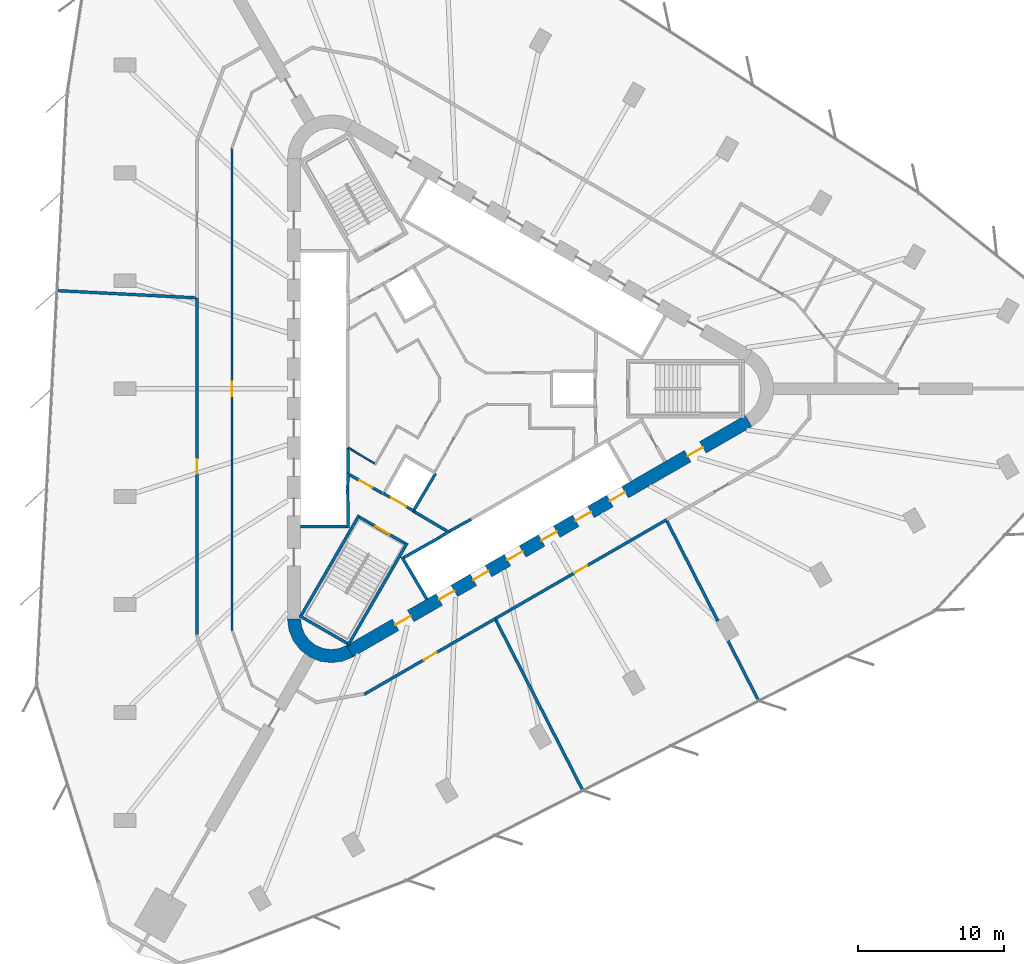
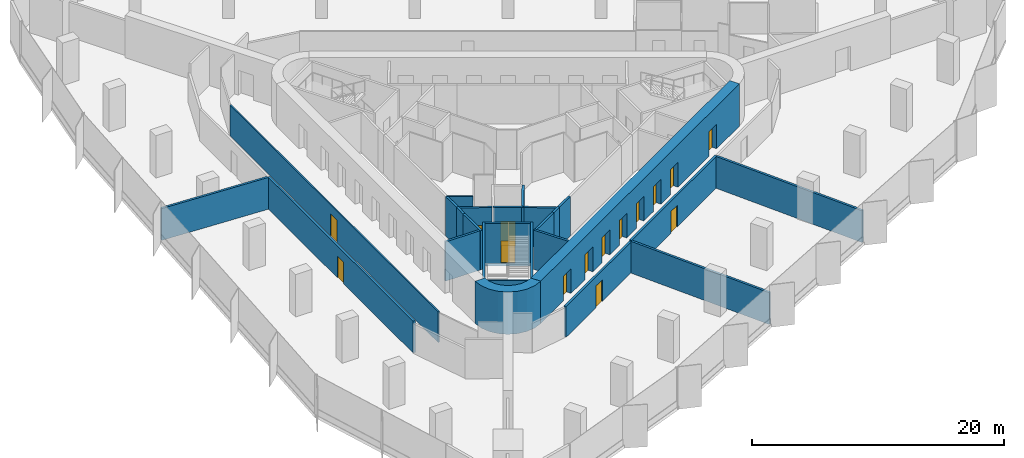
# One storey, part 9 of 14: 26 walls, 15 doors, 15 openings.
"""IFC4 building model written with IfcOpenShell, lengths in metres."""

from ifc_helpers import new_model, si_unit, direction, frame, frame_2d, origin, place, context, subcontext, project, spatial, polyline, rectangle, outline, extrude, material, layer, layer_set, type_object, element, fill, save


model = new_model("IFC4")

# Units and contexts
model_context = context("Model", 3, precision=1e-05, world=origin(), true_north=direction((0.0, 1.0)))
body_context = subcontext(model_context, "Body", "Model", "MODEL_VIEW")
ifc_project = project(units=[si_unit("LENGTHUNIT", "METRE"), si_unit("AREAUNIT", "SQUARE_METRE"), si_unit("VOLUMEUNIT", "CUBIC_METRE"), si_unit("PLANEANGLEUNIT", "RADIAN"), si_unit("MASSUNIT", "GRAM", prefix="KILO")], contexts=[model_context])

# Site, building, storey
site_placement = place(None, origin())
site = spatial("IfcSite", under=ifc_project, at=site_placement, CompositionType="ELEMENT")
building_placement = place(site_placement, origin())
building = spatial("IfcBuilding", under=site, at=building_placement, Name="Tanit Gate Tower", CompositionType="ELEMENT")
storey_placement = place(building_placement, frame((0.0, 0.0, 70.10009765625)))
storey = spatial("IfcBuildingStorey", under=building, at=storey_placement, Name="L13", CompositionType="ELEMENT", Elevation=70.10009765625)

# Wall, openings, doors
ifc_material_1 = material(Name="Concrete C60/75", Category="concrete")
ifc_layer_1 = layer(ifc_material_1, 0.89990234375)
ifc_layer_set_1 = layer_set([ifc_layer_1], Name="CORE WALL 900 C60/75")
wall_type_1 = type_object("IfcWallType", Name="CORE WALL 900 C60/75", PredefinedType="SHEAR", material=ifc_layer_set_1)
wall_1_placement = place(storey_placement, frame((-7.824951171875, -17.969970703125, 0.0), z_axis=(0.0, 0.0, 1.0), x_axis=(0.866028369851, 0.499994862586, 0.0)))
wall_1 = element("IfcWall", 1, at=wall_1_placement, inside=storey, type_object=wall_type_1, Name="CORE WALL", PredefinedType="SHEAR", context=body_context, shape_type="SweptSolid", body=[
    extrude(rectangle(XDim=31.523193359375, YDim=0.89990234375, at=frame_2d((15.76171875, 0.0))), origin(), (0.0, 0.0, 1.0), 4.099853515625),
])
opening_1_placement = place(wall_1_placement, frame((7.061767578125, 0.0, 0.0)))
opening_1 = element("IfcOpeningElement", 2, at=opening_1_placement, cuts=wall_1, Name="Opening LDSX1-S02", PredefinedType="OPENING", context=body_context, shape_type="SweptSolid", body=[
    extrude(rectangle(XDim=1.199951171875, YDim=2.39990234375, at=frame_2d((0.60009765625, 1.199951171875))), frame((0.0, 0.4599609375, 0.0), z_axis=(0.0, -1.0, 0.0), x_axis=(1.0, 0.0, 0.0)), (0.0, 0.0, 1.0), 0.919921875),
])
opening_2_placement = place(wall_1_placement, frame((9.76171875, 0.0, 0.0)))
opening_2 = element("IfcOpeningElement", 3, at=opening_2_placement, cuts=wall_1, Name="Opening LDSX2-S02", PredefinedType="OPENING", context=body_context, shape_type="SweptSolid", body=[
    extrude(rectangle(XDim=1.199951171875, YDim=2.39990234375, at=frame_2d((0.60009765625, 1.199951171875))), frame((0.0, 0.4599609375, 0.0), z_axis=(0.0, -1.0, 0.0), x_axis=(1.0, 0.0, 0.0)), (0.0, 0.0, 1.0), 0.919921875),
])
opening_3_placement = place(wall_1_placement, frame((12.461669921875, 0.0, 0.0)))
opening_3 = element("IfcOpeningElement", 4, at=opening_3_placement, cuts=wall_1, Name="Opening LDSX3-S02", PredefinedType="OPENING", context=body_context, shape_type="SweptSolid", body=[
    extrude(rectangle(XDim=1.199951171875, YDim=2.39990234375, at=frame_2d((0.60009765625, 1.199951171875))), frame((0.0, 0.4599609375, 0.0), z_axis=(0.0, -1.0, 0.0), x_axis=(1.0, 0.0, 0.0)), (0.0, 0.0, 1.0), 0.919921875),
])
opening_4_placement = place(wall_1_placement, frame((15.16162109375, 0.0, 0.0)))
opening_4 = element("IfcOpeningElement", 5, at=opening_4_placement, cuts=wall_1, Name="Opening LDSX4-S02", PredefinedType="OPENING", context=body_context, shape_type="SweptSolid", body=[
    extrude(rectangle(XDim=1.199951171875, YDim=2.39990234375, at=frame_2d((0.60009765625, 1.199951171875))), frame((0.0, 0.4599609375, 0.0), z_axis=(0.0, -1.0, 0.0), x_axis=(1.0, 0.0, 0.0)), (0.0, 0.0, 1.0), 0.919921875),
])
opening_5_placement = place(wall_1_placement, frame((17.861572265625, 0.0, 0.0)))
opening_5 = element("IfcOpeningElement", 6, at=opening_5_placement, cuts=wall_1, Name="Opening LDSV1-S02", PredefinedType="OPENING", context=body_context, shape_type="SweptSolid", body=[
    extrude(rectangle(XDim=1.199951171875, YDim=2.39990234375, at=frame_2d((0.60009765625, 1.199951171875))), frame((0.0, 0.4599609375, 0.0), z_axis=(0.0, -1.0, 0.0), x_axis=(1.0, 0.0, 0.0)), (0.0, 0.0, 1.0), 0.919921875),
])
opening_6_placement = place(wall_1_placement, frame((20.561767578125, 0.0, 0.0)))
opening_6 = element("IfcOpeningElement", 7, at=opening_6_placement, cuts=wall_1, Name="Opening LDSV2-S02", PredefinedType="OPENING", context=body_context, shape_type="SweptSolid", body=[
    extrude(rectangle(XDim=1.199951171875, YDim=2.39990234375, at=frame_2d((0.60009765625, 1.199951171875))), frame((0.0, 0.4599609375, 0.0), z_axis=(0.0, -1.0, 0.0), x_axis=(1.0, 0.0, 0.0)), (0.0, 0.0, 1.0), 0.919921875),
])
opening_7_placement = place(wall_1_placement, frame((26.711669921875, 0.0, 0.0)))
opening_7 = element("IfcOpeningElement", 8, at=opening_7_placement, cuts=wall_1, Name="Opening F12-S02-S1", PredefinedType="OPENING", context=body_context, shape_type="SweptSolid", body=[
    extrude(rectangle(XDim=1.199951171875, YDim=2.39990234375, at=frame_2d((0.60009765625, 1.199951171875))), frame((0.0, 0.4599609375, 0.0), z_axis=(0.0, -1.0, 0.0), x_axis=(1.0, 0.0, 0.0)), (0.0, 0.0, 1.0), 0.919921875),
])
opening_8_placement = place(wall_1_placement, frame((3.611572265625, 0.0, 0.0)))
opening_8 = element("IfcOpeningElement", 9, at=opening_8_placement, cuts=wall_1, Name="Opening F12-S02-FL3", PredefinedType="OPENING", context=body_context, shape_type="SweptSolid", body=[
    extrude(rectangle(XDim=1.199951171875, YDim=2.39990234375, at=frame_2d((0.60009765625, 1.199951171875))), frame((0.0, 0.4599609375, 0.0), z_axis=(0.0, -1.0, 0.0), x_axis=(1.0, 0.0, 0.0)), (0.0, 0.0, 1.0), 0.919921875),
])
ifc_material_2 = material(Name="Fire-rated steel door leaf", Category="steel")
door_type_1 = type_object("IfcDoorType", Name="INT-DOOR-FIRE-LOBBY-1200", OperationType="NOTDEFINED", PredefinedType="USERDEFINED", material=ifc_material_2)
door_1_placement = place(opening_7_placement, origin())
door_1 = element("IfcDoor", 10, at=door_1_placement, inside=storey, type_object=door_type_1, Name="Door F12-S02-S1", ObjectType="FIRE DOOR", OperationType="SINGLE_SWING_RIGHT", OverallHeight=2.39990234375, OverallWidth=1.199951171875, PredefinedType="USERDEFINED", context=body_context, shape_type="SweptSolid", body=[
    extrude(rectangle(XDim=1.199951171875, YDim=2.39990234375, at=frame_2d((0.60009765625, 1.199951171875))), frame((0.0, 0.02490234375, 0.0), z_axis=(0.0, -1.0, 0.0), x_axis=(1.0, 0.0, 0.0)), (0.0, 0.0, 1.0), 0.050048828125),
])
fill(opening_7, door_1)
door_2_placement = place(opening_8_placement, origin())
door_2 = element("IfcDoor", 11, at=door_2_placement, inside=storey, type_object=door_type_1, Name="Door F12-S02-FL3", ObjectType="FIRE DOOR", OperationType="SINGLE_SWING_LEFT", OverallHeight=2.39990234375, OverallWidth=1.199951171875, PredefinedType="USERDEFINED", context=body_context, shape_type="SweptSolid", body=[
    extrude(rectangle(XDim=1.199951171875, YDim=2.39990234375, at=frame_2d((0.60009765625, 1.199951171875))), frame((0.0, 0.02490234375, 0.0), z_axis=(0.0, -1.0, 0.0), x_axis=(1.0, 0.0, 0.0)), (0.0, 0.0, 1.0), 0.050048828125),
])
fill(opening_8, door_2)
ifc_material_3 = material(Name="Stainless steel sliding door leaf", Category="steel")
door_type_2 = type_object("IfcDoorType", Name="INT-DOOR-LANDING-1200", OperationType="NOTDEFINED", PredefinedType="USERDEFINED", material=ifc_material_3)
door_3_placement = place(opening_1_placement, origin())
door_3 = element("IfcDoor", 12, at=door_3_placement, inside=storey, type_object=door_type_2, Name="Door LDSX1-S02", ObjectType="LANDING DOOR", OperationType="SLIDING_TO_LEFT", OverallHeight=2.39990234375, OverallWidth=1.199951171875, PredefinedType="USERDEFINED", context=body_context, shape_type="SweptSolid", body=[
    extrude(rectangle(XDim=1.199951171875, YDim=2.39990234375, at=frame_2d((0.60009765625, 1.199951171875))), frame((0.0, 0.02490234375, 0.0), z_axis=(0.0, -1.0, 0.0), x_axis=(1.0, 0.0, 0.0)), (0.0, 0.0, 1.0), 0.050048828125),
])
fill(opening_1, door_3)
door_4_placement = place(opening_2_placement, origin())
door_4 = element("IfcDoor", 13, at=door_4_placement, inside=storey, type_object=door_type_2, Name="Door LDSX2-S02", ObjectType="LANDING DOOR", OperationType="SLIDING_TO_LEFT", OverallHeight=2.39990234375, OverallWidth=1.199951171875, PredefinedType="USERDEFINED", context=body_context, shape_type="SweptSolid", body=[
    extrude(rectangle(XDim=1.199951171875, YDim=2.39990234375, at=frame_2d((0.60009765625, 1.199951171875))), frame((0.0, 0.02490234375, 0.0), z_axis=(0.0, -1.0, 0.0), x_axis=(1.0, 0.0, 0.0)), (0.0, 0.0, 1.0), 0.050048828125),
])
fill(opening_2, door_4)
door_5_placement = place(opening_3_placement, origin())
door_5 = element("IfcDoor", 14, at=door_5_placement, inside=storey, type_object=door_type_2, Name="Door LDSX3-S02", ObjectType="LANDING DOOR", OperationType="SLIDING_TO_LEFT", OverallHeight=2.39990234375, OverallWidth=1.199951171875, PredefinedType="USERDEFINED", context=body_context, shape_type="SweptSolid", body=[
    extrude(rectangle(XDim=1.199951171875, YDim=2.39990234375, at=frame_2d((0.60009765625, 1.199951171875))), frame((0.0, 0.02490234375, 0.0), z_axis=(0.0, -1.0, 0.0), x_axis=(1.0, 0.0, 0.0)), (0.0, 0.0, 1.0), 0.050048828125),
])
fill(opening_3, door_5)
door_6_placement = place(opening_4_placement, origin())
door_6 = element("IfcDoor", 15, at=door_6_placement, inside=storey, type_object=door_type_2, Name="Door LDSX4-S02", ObjectType="LANDING DOOR", OperationType="SLIDING_TO_LEFT", OverallHeight=2.39990234375, OverallWidth=1.199951171875, PredefinedType="USERDEFINED", context=body_context, shape_type="SweptSolid", body=[
    extrude(rectangle(XDim=1.199951171875, YDim=2.39990234375, at=frame_2d((0.60009765625, 1.199951171875))), frame((0.0, 0.02490234375, 0.0), z_axis=(0.0, -1.0, 0.0), x_axis=(1.0, 0.0, 0.0)), (0.0, 0.0, 1.0), 0.050048828125),
])
fill(opening_4, door_6)
door_7_placement = place(opening_5_placement, origin())
door_7 = element("IfcDoor", 16, at=door_7_placement, inside=storey, type_object=door_type_2, Name="Door LDSV1-S02", ObjectType="LANDING DOOR", OperationType="SLIDING_TO_LEFT", OverallHeight=2.39990234375, OverallWidth=1.199951171875, PredefinedType="USERDEFINED", context=body_context, shape_type="SweptSolid", body=[
    extrude(rectangle(XDim=1.199951171875, YDim=2.39990234375, at=frame_2d((0.60009765625, 1.199951171875))), frame((0.0, 0.02490234375, 0.0), z_axis=(0.0, -1.0, 0.0), x_axis=(1.0, 0.0, 0.0)), (0.0, 0.0, 1.0), 0.050048828125),
])
fill(opening_5, door_7)
door_8_placement = place(opening_6_placement, origin())
door_8 = element("IfcDoor", 17, at=door_8_placement, inside=storey, type_object=door_type_2, Name="Door LDSV2-S02", ObjectType="LANDING DOOR", OperationType="SLIDING_TO_LEFT", OverallHeight=2.39990234375, OverallWidth=1.199951171875, PredefinedType="USERDEFINED", context=body_context, shape_type="SweptSolid", body=[
    extrude(rectangle(XDim=1.199951171875, YDim=2.39990234375, at=frame_2d((0.60009765625, 1.199951171875))), frame((0.0, 0.02490234375, 0.0), z_axis=(0.0, -1.0, 0.0), x_axis=(1.0, 0.0, 0.0)), (0.0, 0.0, 1.0), 0.050048828125),
])
fill(opening_6, door_8)

# Walls
wall_2_placement = place(storey_placement, origin())
element("IfcWall", 18, at=wall_2_placement, inside=storey, type_object=wall_type_1, Name="CORE WALL CORNER", PredefinedType="SHEAR", context=body_context, shape_type="SweptSolid", body=[
    extrude(outline(polyline([(-12.10009765625, -15.76171875), (-11.997802734375, -16.5380859375), (-11.697998046875, -17.26171875), (-11.22119140625, -17.883056640625), (-10.60009765625, -18.359619140625), (-9.87646484375, -18.659423828125), (-9.10009765625, -18.76171875), (-8.323486328125, -18.659423828125), (-7.60009765625, -18.359619140625), (-8.050048828125, -17.580322265625), (-8.556396484375, -17.7900390625), (-9.10009765625, -17.86181640625), (-9.6435546875, -17.7900390625), (-10.14990234375, -17.580322265625), (-10.5849609375, -17.24658203125), (-10.918701171875, -16.811767578125), (-11.12841796875, -16.30517578125), (-11.199951171875, -15.76171875), (-12.10009765625, -15.76171875)])), origin(), (0.0, 0.0, 1.0), 4.099853515625),
])
ifc_material_4 = material(Name="Fire-rated gypsum board partition")
ifc_layer_2 = layer(ifc_material_4, 0.199951171875)
ifc_layer_set_2 = layer_set([ifc_layer_2], Name="INT-WALL-COMPARTMENT")
wall_type_2 = type_object("IfcWallType", Name="INT-WALL-COMPARTMENT", PredefinedType="PARTITIONING", material=ifc_layer_set_2)
wall_3_placement = place(storey_placement, frame((-3.400634765625, -8.43017578125, 0.0), z_axis=(0.0, 0.0, 1.0), x_axis=(0.860615607571, -0.509255118781, 0.0)))
element("IfcWall", 19, at=wall_3_placement, inside=storey, type_object=wall_type_2, Name="Wall Compartment W063", PredefinedType="PARTITIONING", context=body_context, shape_type="SweptSolid", body=[
    extrude(rectangle(XDim=2.58056640625, YDim=0.199951171875, at=frame_2d((1.290283203125, 0.0))), origin(), (0.0, 0.0, 1.0), 3.7998046875),
])

# Wall, opening, door
wall_4_placement = place(storey_placement, frame((-7.849365234375, -5.893798828125, 0.0), z_axis=(0.0, 0.0, 1.0), x_axis=(0.871363259478, -0.490638431059, 0.0)))
wall_4 = element("IfcWall", 20, at=wall_4_placement, inside=storey, type_object=wall_type_2, Name="Wall Compartment W064", PredefinedType="PARTITIONING", context=body_context, shape_type="SweptSolid", body=[
    extrude(rectangle(XDim=2.5810546875, YDim=0.199951171875, at=frame_2d((1.29052734375, 0.0))), origin(), (0.0, 0.0, 1.0), 3.7998046875),
])
opening_9_placement = place(wall_4_placement, frame((0.79052734375, 0.0, 0.0)))
opening_9 = element("IfcOpeningElement", 21, at=opening_9_placement, cuts=wall_4, Name="Opening F10-S02-08", PredefinedType="OPENING", context=body_context, shape_type="SweptSolid", body=[
    extrude(rectangle(XDim=1.0, YDim=2.10009765625, at=frame_2d((0.5, 1.050048828125))), frame((0.0, 0.10986328125, 0.0), z_axis=(0.0, -1.0, 0.0), x_axis=(1.0, 0.0, 0.0)), (0.0, 0.0, 1.0), 0.219970703125),
])
ifc_material_5 = material(Name="Fire-rated steel door leaf", Category="steel")
door_type_3 = type_object("IfcDoorType", Name="INT-DOOR-FIRE-1000", OperationType="NOTDEFINED", PredefinedType="USERDEFINED", material=ifc_material_5)
door_9_placement = place(opening_9_placement, origin())
door_9 = element("IfcDoor", 22, at=door_9_placement, inside=storey, type_object=door_type_3, Name="Door F10-S02-08", ObjectType="FIRE DOOR", OperationType="SINGLE_SWING_LEFT", OverallHeight=2.10009765625, OverallWidth=1.0, PredefinedType="USERDEFINED", context=body_context, shape_type="SweptSolid", body=[
    extrude(rectangle(XDim=1.0, YDim=2.10009765625, at=frame_2d((0.5, 1.050048828125))), frame((0.0, 0.02490234375, 0.0), z_axis=(0.0, -1.0, 0.0), x_axis=(1.0, 0.0, 0.0)), (0.0, 0.0, 1.0), 0.050048828125),
])
fill(opening_9, door_9)

wall_5_placement = place(storey_placement, frame((-18.300048828125, 6.198974609375, 0.0), z_axis=(0.0, 0.0, 1.0), x_axis=(0.0, -1.0, 0.0)))
wall_5 = element("IfcWall", 23, at=wall_5_placement, inside=storey, type_object=wall_type_2, Name="Wall Compartment W090", PredefinedType="PARTITIONING", context=body_context, shape_type="SweptSolid", body=[
    extrude(rectangle(XDim=23.033203125, YDim=0.199951171875, at=frame_2d((11.5166015625, 0.0))), origin(), (0.0, 0.0, 1.0), 3.079833984375),
])
opening_10_placement = place(wall_5_placement, frame((11.0166015625, 0.0, 0.0)))
opening_10 = element("IfcOpeningElement", 24, at=opening_10_placement, cuts=wall_5, Name="Opening F10-S02-19", PredefinedType="OPENING", context=body_context, shape_type="SweptSolid", body=[
    extrude(rectangle(XDim=1.0, YDim=2.10009765625, at=frame_2d((0.5, 1.050048828125))), frame((0.0, 0.10986328125, 0.0), z_axis=(0.0, -1.0, 0.0), x_axis=(1.0, 0.0, 0.0)), (0.0, 0.0, 1.0), 0.219970703125),
])
door_10_placement = place(opening_10_placement, origin())
door_10 = element("IfcDoor", 25, at=door_10_placement, inside=storey, type_object=door_type_3, Name="Door F10-S02-19", ObjectType="FIRE DOOR", OperationType="SINGLE_SWING_LEFT", OverallHeight=2.10009765625, OverallWidth=1.0, PredefinedType="USERDEFINED", context=body_context, shape_type="SweptSolid", body=[
    extrude(rectangle(XDim=1.0, YDim=2.10009765625, at=frame_2d((0.5, 1.050048828125))), frame((0.0, 0.02490234375, 0.0), z_axis=(0.0, -1.0, 0.0), x_axis=(1.0, 0.0, 0.0)), (0.0, 0.0, 1.0), 0.050048828125),
])
fill(opening_10, door_10)

wall_6_placement = place(storey_placement, frame((-6.852294921875, -20.930419921875, 0.0), z_axis=(0.0, 0.0, 1.0), x_axis=(0.866021591072, 0.500006603753, 0.0)))
wall_6 = element("IfcWall", 26, at=wall_6_placement, inside=storey, type_object=wall_type_2, Name="Wall Compartment W106", PredefinedType="PARTITIONING", context=body_context, shape_type="SweptSolid", body=[
    extrude(rectangle(XDim=10.387451171875, YDim=0.199951171875, at=frame_2d((5.19384765625, 0.0))), origin(), (0.0, 0.0, 1.0), 2.97998046875),
])
opening_11_placement = place(wall_6_placement, frame((4.732421875, 0.0, 0.0)))
opening_11 = element("IfcOpeningElement", 27, at=opening_11_placement, cuts=wall_6, Name="Opening F10-S02-24", PredefinedType="OPENING", context=body_context, shape_type="SweptSolid", body=[
    extrude(rectangle(XDim=1.0, YDim=2.10009765625, at=frame_2d((0.5, 1.050048828125))), frame((0.0, 0.10986328125, 0.0), z_axis=(0.0, -1.0, 0.0), x_axis=(1.0, 0.0, 0.0)), (0.0, 0.0, 1.0), 0.219970703125),
])
door_11_placement = place(opening_11_placement, origin())
door_11 = element("IfcDoor", 28, at=door_11_placement, inside=storey, type_object=door_type_3, Name="Door F10-S02-24", ObjectType="FIRE DOOR", OperationType="SINGLE_SWING_LEFT", OverallHeight=2.10009765625, OverallWidth=1.0, PredefinedType="USERDEFINED", context=body_context, shape_type="SweptSolid", body=[
    extrude(rectangle(XDim=1.0, YDim=2.10009765625, at=frame_2d((0.5, 1.050048828125))), frame((0.0, 0.02490234375, 0.0), z_axis=(0.0, -1.0, 0.0), x_axis=(1.0, 0.0, 0.0)), (0.0, 0.0, 1.0), 0.050048828125),
])
fill(opening_11, door_11)

wall_7_placement = place(storey_placement, frame((2.1435546875, -15.736572265625, 0.0), z_axis=(0.0, 0.0, 1.0), x_axis=(0.866019431537, 0.500010344094, 0.0)))
wall_7 = element("IfcWall", 29, at=wall_7_placement, inside=storey, type_object=wall_type_2, Name="Wall Compartment W105", PredefinedType="PARTITIONING", context=body_context, shape_type="SweptSolid", body=[
    extrude(rectangle(XDim=13.531494140625, YDim=0.199951171875, at=frame_2d((6.765625, 0.0))), origin(), (0.0, 0.0, 1.0), 3.079833984375),
])
opening_12_placement = place(wall_7_placement, frame((6.25439453125, 0.0, 0.0)))
opening_12 = element("IfcOpeningElement", 30, at=opening_12_placement, cuts=wall_7, Name="Opening F10-S02-23", PredefinedType="OPENING", context=body_context, shape_type="SweptSolid", body=[
    extrude(rectangle(XDim=1.0, YDim=2.10009765625, at=frame_2d((0.5, 1.050048828125))), frame((0.0, 0.10986328125, 0.0), z_axis=(0.0, -1.0, 0.0), x_axis=(1.0, 0.0, 0.0)), (0.0, 0.0, 1.0), 0.219970703125),
])
door_12_placement = place(opening_12_placement, origin())
door_12 = element("IfcDoor", 31, at=door_12_placement, inside=storey, type_object=door_type_3, Name="Door F10-S02-23", ObjectType="FIRE DOOR", OperationType="SINGLE_SWING_RIGHT", OverallHeight=2.10009765625, OverallWidth=1.0, PredefinedType="USERDEFINED", context=body_context, shape_type="SweptSolid", body=[
    extrude(rectangle(XDim=1.0, YDim=2.10009765625, at=frame_2d((0.5, 1.050048828125))), frame((0.0, 0.02490234375, 0.0), z_axis=(0.0, -1.0, 0.0), x_axis=(1.0, 0.0, 0.0)), (0.0, 0.0, 1.0), 0.050048828125),
])
fill(opening_12, door_12)

# Walls
wall_8_placement = place(storey_placement, frame((-18.39990234375, 6.226806640625, 0.0), z_axis=(0.0, 0.0, 1.0), x_axis=(-0.998654739652, 0.051852781702, 0.0)))
element("IfcWall", 32, at=wall_8_placement, inside=storey, type_object=wall_type_2, Name="Wall Compartment W109", PredefinedType="PARTITIONING", context=body_context, shape_type="SweptSolid", body=[
    extrude(rectangle(XDim=9.491943359375, YDim=0.199951171875, at=frame_2d((4.74609375, 0.0))), origin(), (0.0, 0.0, 1.0), 3.079833984375),
])
wall_9_placement = place(storey_placement, frame((13.887939453125, -9.0712890625, 0.0), z_axis=(0.0, 0.0, 1.0), x_axis=(0.454417909926, -0.890788618663, 0.0)))
element("IfcWall", 33, at=wall_9_placement, inside=storey, type_object=wall_type_2, Name="Wall Compartment W123", PredefinedType="PARTITIONING", context=body_context, shape_type="SweptSolid", body=[
    extrude(rectangle(XDim=13.79833984375, YDim=0.199951171875, at=frame_2d((6.899169921875, 0.0))), origin(), (0.0, 0.0, 1.0), 3.079833984375),
])
wall_10_placement = place(storey_placement, frame((8.12060546875, -27.50341796875, 0.0), z_axis=(0.0, 0.0, 1.0), x_axis=(-0.454409665836, 0.890792824171, 0.0)))
element("IfcWall", 34, at=wall_10_placement, inside=storey, type_object=wall_type_2, Name="Wall Compartment W124", PredefinedType="PARTITIONING", context=body_context, shape_type="SweptSolid", body=[
    extrude(rectangle(XDim=13.096435546875, YDim=0.199951171875, at=frame_2d((6.54833984375, 0.0))), origin(), (0.0, 0.0, 1.0), 3.079833984375),
])
ifc_material_6 = material(Name="Gypsum board partition")
ifc_layer_3 = layer(ifc_material_6, 0.1201171875)
ifc_layer_set_3 = layer_set([ifc_layer_3], Name="INT-WALL-PARTITION")
wall_type_3 = type_object("IfcWallType", Name="INT-WALL-PARTITION", PredefinedType="PARTITIONING", material=ifc_layer_set_3)
wall_11_placement = place(storey_placement, frame((-7.949951171875, -4.041015625, 0.0), z_axis=(0.0, 0.0, 1.0), x_axis=(0.860112457103, -0.510104461004, 0.0)))
element("IfcWall", 35, at=wall_11_placement, inside=storey, type_object=wall_type_3, Name="Wall Partition W082", PredefinedType="PARTITIONING", context=body_context, shape_type="SweptSolid", body=[
    extrude(rectangle(XDim=2.1044921875, YDim=0.1201171875, at=frame_2d((1.05224609375, 0.0))), origin(), (0.0, 0.0, 1.0), 3.7998046875),
])

# Wall, opening, door
wall_12_placement = place(storey_placement, frame((-15.89990234375, 16.451171875, 0.0), z_axis=(0.0, 0.0, 1.0), x_axis=(0.0, -1.0, 0.0)))
wall_12 = element("IfcWall", 36, at=wall_12_placement, inside=storey, type_object=wall_type_3, Name="Wall Partition W085", PredefinedType="PARTITIONING", context=body_context, shape_type="SweptSolid", body=[
    extrude(rectangle(XDim=33.022216796875, YDim=0.1201171875, at=frame_2d((16.51123046875, 0.0))), origin(), (0.0, 0.0, 1.0), 2.97998046875),
])
opening_13_placement = place(wall_12_placement, frame((15.981201171875, 0.0, 0.0)))
opening_13 = element("IfcOpeningElement", 37, at=opening_13_placement, cuts=wall_12, Name="Opening D10-S02-14", PredefinedType="OPENING", context=body_context, shape_type="SweptSolid", body=[
    extrude(rectangle(XDim=1.0, YDim=2.10009765625, at=frame_2d((0.5, 1.050048828125))), frame((0.0, 0.070068359375, 0.0), z_axis=(0.0, -1.0, 0.0), x_axis=(1.0, 0.0, 0.0)), (0.0, 0.0, 1.0), 0.14013671875),
])
ifc_material_7 = material(Name="Timber door leaf", Category="wood")
door_type_4 = type_object("IfcDoorType", Name="INT-DOOR-SINGLE-1000", OperationType="NOTDEFINED", PredefinedType="NOTDEFINED", material=ifc_material_7)
door_13_placement = place(opening_13_placement, origin())
door_13 = element("IfcDoor", 38, at=door_13_placement, inside=storey, type_object=door_type_4, Name="Door D10-S02-14", OperationType="SINGLE_SWING_RIGHT", OverallHeight=2.10009765625, OverallWidth=1.0, PredefinedType="NOTDEFINED", context=body_context, shape_type="SweptSolid", body=[
    extrude(rectangle(XDim=1.0, YDim=2.10009765625, at=frame_2d((0.5, 1.050048828125))), frame((0.0, 0.02490234375, 0.0), z_axis=(0.0, -1.0, 0.0), x_axis=(1.0, 0.0, 0.0)), (0.0, 0.0, 1.0), 0.050048828125),
])
fill(opening_13, door_13)

# Walls
ifc_material_8 = material(Name="Gypsum shaft wall system")
ifc_layer_4 = layer(ifc_material_8, 0.199951171875)
ifc_layer_set_4 = layer_set([ifc_layer_4], Name="INT-WALL-SHAFT")
wall_type_4 = type_object("IfcWallType", Name="INT-WALL-SHAFT", PredefinedType="PLUMBINGWALL", material=ifc_layer_set_4)
wall_13_placement = place(storey_placement, frame((-7.949951171875, -5.7724609375, 0.0), z_axis=(0.0, 0.0, 1.0), x_axis=(-0.030803413295, -0.999525462272, 0.0)))
element("IfcWall", 39, at=wall_13_placement, inside=storey, type_object=wall_type_4, Name="Wall Shaft W009", PredefinedType="PLUMBINGWALL", context=body_context, shape_type="SweptSolid", body=[
    extrude(rectangle(XDim=1.077880859375, YDim=0.199951171875, at=frame_2d((0.5390625, 0.0))), origin(), (0.0, 0.0, 1.0), 3.7998046875),
])
wall_14_placement = place(storey_placement, frame((-7.971435546875, -4.050048828125, 0.0), z_axis=(0.0, 0.0, 1.0), x_axis=(0.012042535896, -0.999927486035, 0.0)))
element("IfcWall", 40, at=wall_14_placement, inside=storey, type_object=wall_type_4, Name="Wall Shaft W010", PredefinedType="PLUMBINGWALL", context=body_context, shape_type="SweptSolid", body=[
    extrude(rectangle(XDim=1.844970703125, YDim=0.199951171875, at=frame_2d((0.92236328125, 0.0))), origin(), (0.0, 0.0, 1.0), 3.7998046875),
])
wall_15_placement = place(storey_placement, frame((-7.97900390625, -6.85009765625, 0.0), z_axis=(0.0, 0.0, 1.0), x_axis=(0.011121475088, -0.999938154483, 0.0)))
element("IfcWall", 41, at=wall_15_placement, inside=storey, type_object=wall_type_4, Name="Wall Shaft W011", PredefinedType="PLUMBINGWALL", context=body_context, shape_type="SweptSolid", body=[
    extrude(rectangle(XDim=2.7001953125, YDim=0.199951171875, at=frame_2d((1.35009765625, 0.0))), origin(), (0.0, 0.0, 1.0), 3.7998046875),
])
wall_16_placement = place(storey_placement, frame((-8.050048828125, -9.448974609375, 0.0), z_axis=(0.0, 0.0, 1.0), x_axis=(-0.999957467379, 0.009222983926, 0.0)))
element("IfcWall", 42, at=wall_16_placement, inside=storey, type_object=wall_type_4, Name="Wall Shaft W012", PredefinedType="PLUMBINGWALL", context=body_context, shape_type="SweptSolid", body=[
    extrude(rectangle(XDim=3.150146484375, YDim=0.199951171875, at=frame_2d((1.5751953125, 0.0))), origin(), (0.0, 0.0, 1.0), 3.7998046875),
])
wall_17_placement = place(storey_placement, frame((-2.557861328125, -14.409423828125, 0.0), z_axis=(0.0, 0.0, 1.0), x_axis=(-0.507997497166, 0.861358544901, 0.0)))
element("IfcWall", 43, at=wall_17_placement, inside=storey, type_object=wall_type_4, Name="Wall Shaft W027", PredefinedType="PLUMBINGWALL", context=body_context, shape_type="SweptSolid", body=[
    extrude(rectangle(XDim=3.350341796875, YDim=0.199951171875, at=frame_2d((1.67529296875, 0.0))), origin(), (0.0, 0.0, 1.0), 3.7998046875),
])
wall_18_placement = place(storey_placement, frame((-1.7685546875, -10.23681640625, 0.0), z_axis=(0.0, 0.0, 1.0), x_axis=(-0.871534483978, -0.490334215854, 0.0)))
element("IfcWall", 44, at=wall_18_placement, inside=storey, type_object=wall_type_4, Name="Wall Shaft W028", PredefinedType="PLUMBINGWALL", context=body_context, shape_type="SweptSolid", body=[
    extrude(rectangle(XDim=2.7001953125, YDim=0.199951171875, at=frame_2d((1.35009765625, 0.0))), origin(), (0.0, 0.0, 1.0), 3.7998046875),
])
wall_19_placement = place(storey_placement, frame((-1.02392578125, -9.77099609375, 0.0), z_axis=(0.0, 0.0, 1.0), x_axis=(-0.850348075135, -0.526220629693, 0.0)))
element("IfcWall", 45, at=wall_19_placement, inside=storey, type_object=wall_type_4, Name="Wall Shaft W029", PredefinedType="PLUMBINGWALL", context=body_context, shape_type="SweptSolid", body=[
    extrude(rectangle(XDim=0.878173828125, YDim=0.199951171875, at=frame_2d((0.43896484375, 0.0))), origin(), (0.0, 0.0, 1.0), 3.7998046875),
])
wall_20_placement = place(storey_placement, frame((-1.130126953125, -9.831298828125, 0.0), z_axis=(0.0, 0.0, 1.0), x_axis=(0.874269620932, 0.485440655401, 0.0)))
element("IfcWall", 46, at=wall_20_placement, inside=storey, type_object=wall_type_4, Name="Wall Shaft W030", PredefinedType="PLUMBINGWALL", context=body_context, shape_type="SweptSolid", body=[
    extrude(rectangle(XDim=1.8447265625, YDim=0.199951171875, at=frame_2d((0.92236328125, 0.0))), origin(), (0.0, 0.0, 1.0), 3.7998046875),
])

# Wall, opening, door
wall_21_placement = place(storey_placement, frame((-3.44580078125, -8.3681640625, 0.0), z_axis=(0.0, 0.0, 1.0), x_axis=(-0.866024647952, 0.500001309137, 0.0)))
wall_21 = element("IfcWall", 47, at=wall_21_placement, inside=storey, type_object=wall_type_4, Name="Wall Shaft W053", PredefinedType="PLUMBINGWALL", context=body_context, shape_type="SweptSolid", body=[
    extrude(rectangle(XDim=2.39990234375, YDim=0.199951171875, at=frame_2d((1.199951171875, 0.0))), origin(), (0.0, 0.0, 1.0), 3.7998046875),
])
opening_14_placement = place(wall_21_placement, frame((0.60009765625, 0.0, 0.0)))
opening_14 = element("IfcOpeningElement", 48, at=opening_14_placement, cuts=wall_21, Name="Opening LDFL3-L13", PredefinedType="OPENING", context=body_context, shape_type="SweptSolid", body=[
    extrude(rectangle(XDim=1.199951171875, YDim=2.39990234375, at=frame_2d((0.60009765625, 1.199951171875))), frame((0.0, 0.10986328125, 0.0), z_axis=(0.0, -1.0, 0.0), x_axis=(1.0, 0.0, 0.0)), (0.0, 0.0, 1.0), 0.219970703125),
])
door_14_placement = place(opening_14_placement, origin())
door_14 = element("IfcDoor", 49, at=door_14_placement, inside=storey, type_object=door_type_2, Name="Door LDFL3-L13", ObjectType="LANDING DOOR", OperationType="SLIDING_TO_LEFT", OverallHeight=2.39990234375, OverallWidth=1.199951171875, PredefinedType="USERDEFINED", context=body_context, shape_type="SweptSolid", body=[
    extrude(rectangle(XDim=1.199951171875, YDim=2.39990234375, at=frame_2d((0.60009765625, 1.199951171875))), frame((0.0, 0.02490234375, 0.0), z_axis=(0.0, -1.0, 0.0), x_axis=(1.0, 0.0, 0.0)), (0.0, 0.0, 1.0), 0.050048828125),
])
fill(opening_14, door_14)

# Walls
wall_22_placement = place(storey_placement, frame((-1.960693359375, -5.796142578125, 0.0), z_axis=(0.0, 0.0, 1.0), x_axis=(-0.508647062354, -0.860975125052, 0.0)))
element("IfcWall", 50, at=wall_22_placement, inside=storey, type_object=wall_type_4, Name="Wall Shaft W054", PredefinedType="PLUMBINGWALL", context=body_context, shape_type="SweptSolid", body=[
    extrude(rectangle(XDim=3.10009765625, YDim=0.199951171875, at=frame_2d((1.550048828125, 0.0))), origin(), (0.0, 0.0, 1.0), 3.7998046875),
])
ifc_material_9 = material(Name="Concrete C40/50", Category="concrete")
ifc_layer_5 = layer(ifc_material_9, 0.199951171875)
ifc_layer_set_5 = layer_set([ifc_layer_5], Name="INT-WALL-STAIR")
wall_type_5 = type_object("IfcWallType", Name="INT-WALL-STAIR", PredefinedType="SHEAR", material=ifc_layer_set_5)
wall_23_placement = place(storey_placement, frame((-3.904541015625, -10.56298828125, -0.300048828125), z_axis=(0.0, 0.0, 1.0), x_axis=(-0.500012932018, -0.866017937352, 0.0)))
element("IfcWall", 51, at=wall_23_placement, inside=storey, type_object=wall_type_5, Name="Wall Stair W049", PredefinedType="SHEAR", context=body_context, shape_type="SweptSolid", body=[
    extrude(rectangle(XDim=8.099853515625, YDim=0.199951171875, at=frame_2d((4.0498046875, 0.0))), origin(), (0.0, 0.0, 1.0), 4.099853515625),
])
wall_24_placement = place(storey_placement, frame((-11.281982421875, -15.541015625, -0.300048828125), z_axis=(0.0, 0.0, 1.0), x_axis=(0.866000483506, -0.500043160704, 0.0)))
element("IfcWall", 52, at=wall_24_placement, inside=storey, type_object=wall_type_5, Name="Wall Stair W050", PredefinedType="SHEAR", context=body_context, shape_type="SweptSolid", body=[
    extrude(rectangle(XDim=3.800048828125, YDim=0.199951171875, at=frame_2d((1.89990234375, 0.0))), origin(), (0.0, 0.0, 1.0), 4.099853515625),
])
wall_25_placement = place(storey_placement, frame((-7.195556640625, -8.662841796875, -0.300048828125), z_axis=(0.0, 0.0, 1.0), x_axis=(-0.499997992926, -0.866026562566, 0.0)))
element("IfcWall", 53, at=wall_25_placement, inside=storey, type_object=wall_type_5, Name="Wall Stair W051", PredefinedType="SHEAR", context=body_context, shape_type="SweptSolid", body=[
    extrude(rectangle(XDim=7.89990234375, YDim=0.199951171875, at=frame_2d((3.949951171875, 0.0))), origin(), (0.0, 0.0, 1.0), 4.099853515625),
])

# Wall, opening, door
wall_26_placement = place(storey_placement, frame((-4.041259765625, -10.599365234375, -0.300048828125), z_axis=(0.0, 0.0, 1.0), x_axis=(-0.866047807691, 0.499961193289, 0.0)))
wall_26 = element("IfcWall", 54, at=wall_26_placement, inside=storey, type_object=wall_type_5, Name="Wall Stair W052", PredefinedType="SHEAR", context=body_context, shape_type="SweptSolid", body=[
    extrude(rectangle(XDim=3.599853515625, YDim=0.199951171875, at=frame_2d((1.7998046875, 0.0))), origin(), (0.0, 0.0, 1.0), 4.099853515625),
])
opening_15_placement = place(wall_26_placement, frame((1.25, 0.0, 0.300048828125)))
opening_15 = element("IfcOpeningElement", 55, at=opening_15_placement, cuts=wall_26, Name="Opening S11-S02-07", PredefinedType="OPENING", context=body_context, shape_type="SweptSolid", body=[
    extrude(rectangle(XDim=1.10009765625, YDim=2.10009765625, at=frame_2d((0.550048828125, 1.050048828125))), frame((0.0, 0.10986328125, 0.0), z_axis=(0.0, -1.0, 0.0), x_axis=(1.0, 0.0, 0.0)), (0.0, 0.0, 1.0), 0.219970703125),
])
ifc_material_10 = material(Name="Timber door leaf", Category="wood")
door_type_5 = type_object("IfcDoorType", Name="INT-DOOR-STAIR-1100", OperationType="NOTDEFINED", PredefinedType="USERDEFINED", material=ifc_material_10)
door_15_placement = place(opening_15_placement, origin())
door_15 = element("IfcDoor", 56, at=door_15_placement, inside=storey, type_object=door_type_5, Name="Door S11-S02-07", ObjectType="FIRE DOOR", OperationType="SINGLE_SWING_LEFT", OverallHeight=2.10009765625, OverallWidth=1.10009765625, PredefinedType="USERDEFINED", context=body_context, shape_type="SweptSolid", body=[
    extrude(rectangle(XDim=1.10009765625, YDim=2.10009765625, at=frame_2d((0.550048828125, 1.050048828125))), frame((0.0, 0.02490234375, 0.0), z_axis=(0.0, -1.0, 0.0), x_axis=(1.0, 0.0, 0.0)), (0.0, 0.0, 1.0), 0.050048828125),
])
fill(opening_15, door_15)

save(model, "model.ifc")
